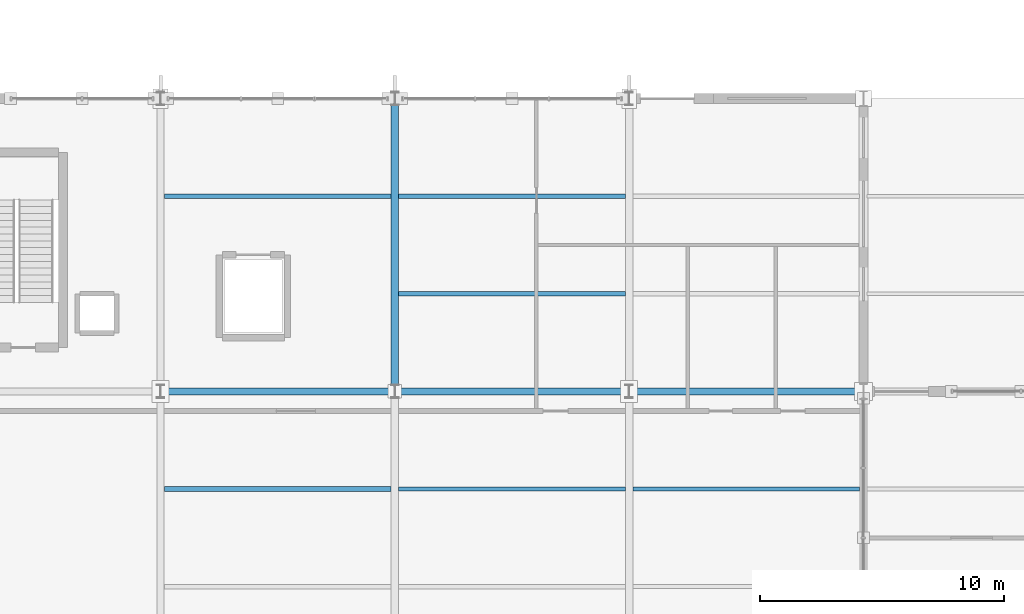
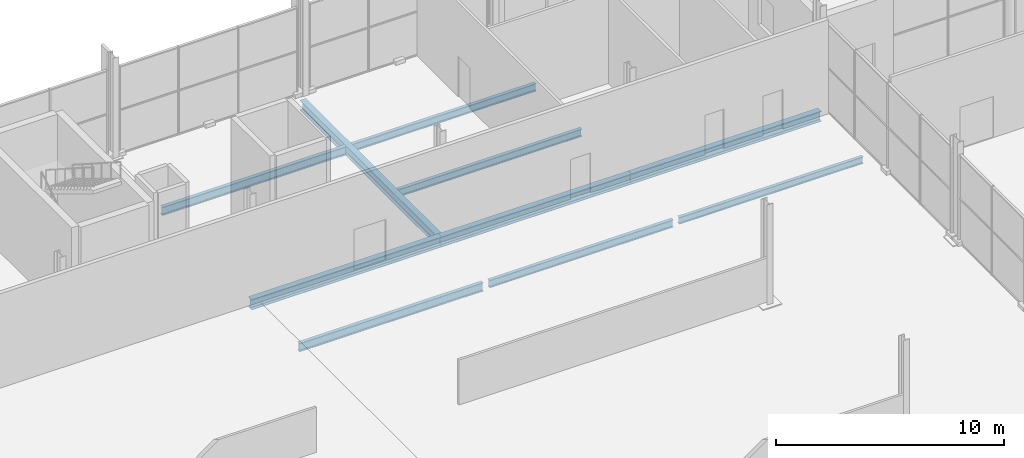
# One storey, part 109 of 196: 10 beams.
"""IFC4 building model written with IfcOpenShell, lengths in metres."""

from ifc_helpers import new_model, si_unit, direction, frame, origin, origin_2d, place, context, subcontext, project, spatial, i_section, extrude, material, material_profile, profile_set, type_object, element, save


model = new_model("IFC4")

# Units and contexts
model_context = context("Model", 3, precision=1e-05, world=origin(), true_north=direction((0.0, 1.0)))
body_context = subcontext(model_context, "Body", "Model", "MODEL_VIEW")
ifc_project = project(units=[si_unit("LENGTHUNIT", "METRE"), si_unit("AREAUNIT", "SQUARE_METRE"), si_unit("VOLUMEUNIT", "CUBIC_METRE"), si_unit("PLANEANGLEUNIT", "RADIAN"), si_unit("MASSUNIT", "GRAM", prefix="KILO")], contexts=[model_context])

# Site, building, storey
site_placement = place(None, origin())
site = spatial("IfcSite", under=ifc_project, at=site_placement, CompositionType="ELEMENT")
building_placement = place(site_placement, origin())
building = spatial("IfcBuilding", under=site, at=building_placement, Name="Merenkruunu Market Hall", CompositionType="ELEMENT")
storey_placement = place(building_placement, origin())
storey = spatial("IfcBuildingStorey", under=building, at=storey_placement, Name="L00", CompositionType="ELEMENT", Elevation=0.0)

# Beams
ifc_material = material(Name="Steel S355J2", Category="steel")
ifc_material_profile_1 = material_profile(ifc_material, i_section(OverallWidth=0.300048828125, OverallDepth=0.550048828125, WebThickness=0.014892578125, FlangeThickness=0.029052734375, FilletRadius=0.027099609375, at=origin_2d()), Name="HEB 550")
ifc_profile_set_1 = profile_set([ifc_material_profile_1], Name="Steel S355J2")
beam_type_1 = type_object("IfcBeamType", Name="Primary Floor Girder B02", PredefinedType="BEAM", material=ifc_profile_set_1)
beam_1_placement = place(storey_placement, frame((28.800048828125, 99.60009765625, -0.614990234375), z_axis=(1.0, 0.0, 0.0), x_axis=(0.0, 1.0, 0.0)))
element("IfcBeam", 1, at=beam_1_placement, inside=storey, type_object=beam_type_1, Name="BM-L00-B02-0117", PredefinedType="BEAM", context=body_context, shape_type="SweptSolid", body=[
    extrude(i_section(OverallWidth=0.300048828125, OverallDepth=0.550048828125, WebThickness=0.014892578125, FlangeThickness=0.029052734375, FilletRadius=0.027099609375, at=origin_2d()), origin(), (0.0, 0.0, 1.0), 9.599853515625),
])
for number, where, z_axis, x_axis, name in (
    (2, (38.39990234375, 99.60009765625, -0.614990234375), (1.0, 0.0, 0.0), (0.0, 1.0, 0.0), "BM-L00-B02-0118"),
    (3, (48.0, 99.60009765625, -0.614990234375), (1.0, 0.0, 0.0), (0.0, 1.0, 0.0), "BM-L00-B02-0119"),
):
    element("IfcBeam", number, at=place(storey_placement, frame(where, z_axis=z_axis, x_axis=x_axis)), inside=storey, type_object=beam_type_1, Name=name, PredefinedType="BEAM", context=body_context, shape_type="SweptSolid", body=[
        extrude(i_section(OverallWidth=0.300048828125, OverallDepth=0.550048828125, WebThickness=0.014892578125, FlangeThickness=0.029052734375, FilletRadius=0.027099609375, at=origin_2d()), origin(), (0.0, 0.0, 1.0), 9.60009765625),
    ])
ifc_material_profile_2 = material_profile(ifc_material, i_section(OverallWidth=0.300048828125, OverallDepth=0.5400390625, WebThickness=0.012451171875, FlangeThickness=0.02392578125, FilletRadius=0.027099609375, at=origin_2d()), Name="HEA 550")
ifc_profile_set_2 = profile_set([ifc_material_profile_2], Name="Steel S355J2")
beam_type_2 = type_object("IfcBeamType", Name="Primary Floor Girder B06", PredefinedType="BEAM", material=ifc_profile_set_2)
beam_2_placement = place(storey_placement, frame((38.39990234375, 99.60009765625, -0.610107421875), z_axis=(0.0, 1.0, 0.0), x_axis=(-1.0, 0.0, 0.0)))
element("IfcBeam", 4, at=beam_2_placement, inside=storey, type_object=beam_type_2, Name="BM-L00-B06-0175", PredefinedType="BEAM", context=body_context, shape_type="SweptSolid", body=[
    extrude(i_section(OverallWidth=0.300048828125, OverallDepth=0.5400390625, WebThickness=0.012451171875, FlangeThickness=0.02392578125, FilletRadius=0.027099609375, at=origin_2d()), origin(), (0.0, 0.0, 1.0), 12.0),
])
ifc_material_profile_3 = material_profile(ifc_material, i_section(OverallWidth=0.18994140625, OverallDepth=0.449951171875, WebThickness=0.009521484375, FlangeThickness=0.0146484375, FilletRadius=0.02099609375, at=origin_2d()), Name="IPE 450")
ifc_profile_set_3 = profile_set([ifc_material_profile_3], Name="Steel S355J2")
beam_type_3 = type_object("IfcBeamType", Name="Secondary Floor Joist J01", PredefinedType="JOIST", material=ifc_profile_set_3)
for number, where, z_axis, x_axis, name in (
    (5, (28.952880859375, 95.60009765625, -0.56494140625), (1.0, 0.0, 0.0), (0.0, 1.0, 0.0), "BM-L00-J01-0315"),
    (6, (28.952880859375, 107.60009765625, -0.56494140625), (1.0, 0.0, 0.0), (0.0, 1.0, 0.0), "BM-L00-J01-0316"),
):
    element("IfcBeam", number, at=place(storey_placement, frame(where, z_axis=z_axis, x_axis=x_axis)), inside=storey, type_object=beam_type_3, Name=name, PredefinedType="JOIST", context=body_context, shape_type="SweptSolid", body=[
        extrude(i_section(OverallWidth=0.18994140625, OverallDepth=0.449951171875, WebThickness=0.009521484375, FlangeThickness=0.0146484375, FilletRadius=0.02099609375, at=origin_2d()), origin(), (0.0, 0.0, 1.0), 9.294189453125),
    ])
ifc_material_profile_4 = material_profile(ifc_material, i_section(OverallWidth=0.179931640625, OverallDepth=0.39990234375, WebThickness=0.008544921875, FlangeThickness=0.013427734375, FilletRadius=0.02099609375, at=origin_2d()), Name="IPE 400")
ifc_profile_set_4 = profile_set([ifc_material_profile_4], Name="Steel S355J2")
beam_type_4 = type_object("IfcBeamType", Name="Secondary Floor Joist J02", PredefinedType="JOIST", material=ifc_profile_set_4)
for number, where, z_axis, x_axis, name in (
    (7, (38.552978515625, 95.60009765625, -0.5400390625), (1.0, 0.0, 0.0), (0.0, 1.0, 0.0), "BM-L00-J02-0330"),
    (8, (38.552978515625, 103.60009765625, -0.5400390625), (1.0, 0.0, 0.0), (0.0, 1.0, 0.0), "BM-L00-J02-0331"),
    (9, (38.552978515625, 107.60009765625, -0.5400390625), (1.0, 0.0, 0.0), (0.0, 1.0, 0.0), "BM-L00-J02-0332"),
):
    element("IfcBeam", number, at=place(storey_placement, frame(where, z_axis=z_axis, x_axis=x_axis)), inside=storey, type_object=beam_type_4, Name=name, PredefinedType="JOIST", context=body_context, shape_type="SweptSolid", body=[
        extrude(i_section(OverallWidth=0.179931640625, OverallDepth=0.39990234375, WebThickness=0.008544921875, FlangeThickness=0.013427734375, FilletRadius=0.02099609375, at=origin_2d()), origin(), (0.0, 0.0, 1.0), 9.2939453125),
    ])
ifc_material_profile_5 = material_profile(ifc_material, i_section(OverallWidth=0.169921875, OverallDepth=0.360107421875, WebThickness=0.008056640625, FlangeThickness=0.0126953125, FilletRadius=0.01806640625, at=origin_2d()), Name="IPE 360")
ifc_profile_set_5 = profile_set([ifc_material_profile_5], Name="Steel S355J2")
beam_type_5 = type_object("IfcBeamType", Name="Secondary Floor Joist J03", PredefinedType="JOIST", material=ifc_profile_set_5)
beam_3_placement = place(storey_placement, frame((48.153076171875, 95.60009765625, -0.52001953125), z_axis=(1.0, 0.0, 0.0), x_axis=(0.0, 1.0, 0.0)))
element("IfcBeam", 10, at=beam_3_placement, inside=storey, type_object=beam_type_5, Name="BM-L00-J03-0343", PredefinedType="JOIST", context=body_context, shape_type="SweptSolid", body=[
    extrude(i_section(OverallWidth=0.169921875, OverallDepth=0.360107421875, WebThickness=0.008056640625, FlangeThickness=0.0126953125, FilletRadius=0.01806640625, at=origin_2d()), origin(), (0.0, 0.0, 1.0), 9.2939453125),
])

save(model, "model.ifc")
